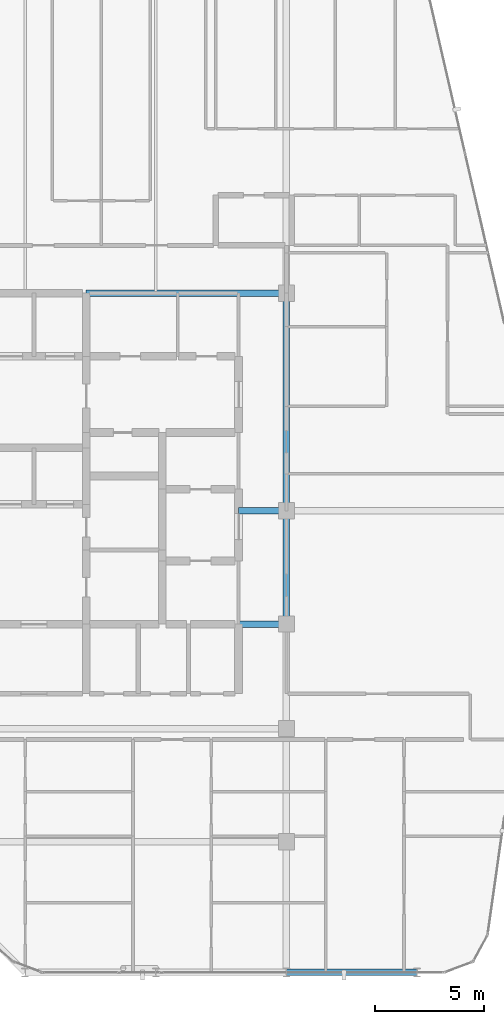
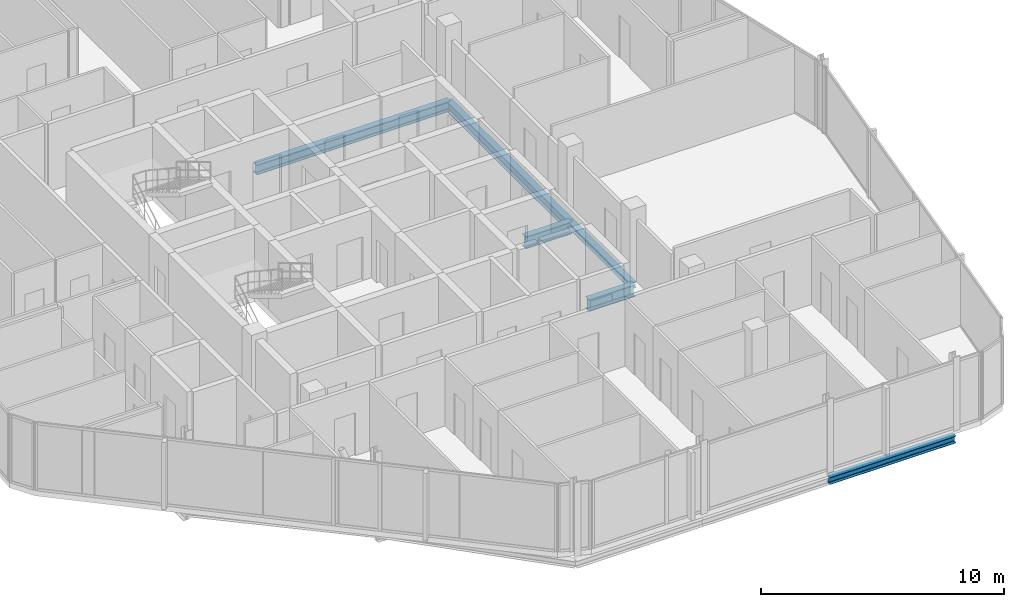
# One storey, part 11 of 28: 6 beams.
"""IFC4 building model written with IfcOpenShell, lengths in metres."""

from ifc_helpers import new_model, si_unit, direction, frame, origin, origin_2d, place, context, subcontext, project, spatial, i_section, extrude, material, material_profile, profile_set, type_object, element, save


model = new_model("IFC4")

# Units and contexts
model_context = context("Model", 3, precision=1e-05, world=origin(), true_north=direction((0.0, 1.0)))
body_context = subcontext(model_context, "Body", "Model", "MODEL_VIEW")
ifc_project = project(units=[si_unit("LENGTHUNIT", "METRE"), si_unit("AREAUNIT", "SQUARE_METRE"), si_unit("VOLUMEUNIT", "CUBIC_METRE"), si_unit("PLANEANGLEUNIT", "RADIAN"), si_unit("MASSUNIT", "GRAM", prefix="KILO")], contexts=[model_context])

# Site, building, storey
site_placement = place(None, origin())
site = spatial("IfcSite", under=ifc_project, at=site_placement, CompositionType="ELEMENT")
building_placement = place(site_placement, origin())
building = spatial("IfcBuilding", under=site, at=building_placement, Name="Keshet Zoharim Tower", CompositionType="ELEMENT")
storey_placement = place(building_placement, frame((0.0, 0.0, 258.39990234375)))
storey = spatial("IfcBuildingStorey", under=building, at=storey_placement, Name="L64", CompositionType="ELEMENT", Elevation=258.39990234375)

# Beams
ifc_material = material(Name="Steel S355", Category="steel")
ifc_material_profile_1 = material_profile(ifc_material, i_section(OverallWidth=0.300048828125, OverallDepth=0.60009765625, WebThickness=0.015380859375, FlangeThickness=0.030029296875, FilletRadius=0.027099609375, at=origin_2d()), Name="HEB600")
ifc_profile_set_1 = profile_set([ifc_material_profile_1], Name="Steel S355")
beam_type_1 = type_object("IfcBeamType", Name="BM-CLK-HB600", PredefinedType="BEAM", material=ifc_profile_set_1)
for number, where, z_axis, x_axis, name in (
    (1, (30.800048828125, 22.699951171875, -0.60986328125), (1.0, 0.0, 0.0), (0.0, 1.0, 0.0), "L64 Core Wall Link Girder 01"),
    (2, (30.800048828125, 27.89990234375, -0.60986328125), (1.0, 0.0, 0.0), (0.0, 1.0, 0.0), "L64 Core Wall Link Girder 02"),
):
    element("IfcBeam", number, at=place(storey_placement, frame(where, z_axis=z_axis, x_axis=x_axis)), inside=storey, type_object=beam_type_1, Name=name, PredefinedType="BEAM", context=body_context, shape_type="SweptSolid", body=[
        extrude(i_section(OverallWidth=0.300048828125, OverallDepth=0.60009765625, WebThickness=0.015380859375, FlangeThickness=0.030029296875, FilletRadius=0.027099609375, at=origin_2d()), origin(), (0.0, 0.0, 1.0), 2.199951171875),
    ])
ifc_material_profile_2 = material_profile(ifc_material, i_section(OverallWidth=0.300048828125, OverallDepth=0.5, WebThickness=0.014404296875, FlangeThickness=0.028076171875, FilletRadius=0.027099609375, at=origin_2d()), Name="HEB500")
ifc_profile_set_2 = profile_set([ifc_material_profile_2], Name="Steel S355")
beam_type_2 = type_object("IfcBeamType", Name="BM-MED-HB500", PredefinedType="BEAM", material=ifc_profile_set_2)
beam_1_placement = place(storey_placement, frame((23.800048828125, 37.89990234375, -0.559814453125), z_axis=(1.0, 0.0, 0.0), x_axis=(0.0, 1.0, 0.0)))
element("IfcBeam", 3, at=beam_1_placement, inside=storey, type_object=beam_type_2, Name="L64 Primary Girder X-009", PredefinedType="BEAM", context=body_context, shape_type="SweptSolid", body=[
    extrude(i_section(OverallWidth=0.300048828125, OverallDepth=0.5, WebThickness=0.014404296875, FlangeThickness=0.028076171875, FilletRadius=0.027099609375, at=origin_2d()), origin(), (0.0, 0.0, 1.0), 9.199951171875),
])
beam_2_placement = place(storey_placement, frame((33.0, 27.89990234375, -0.559814453125), z_axis=(0.0, 1.0, 0.0), x_axis=(-1.0, 0.0, 0.0)))
element("IfcBeam", 4, at=beam_2_placement, inside=storey, type_object=beam_type_2, Name="L64 Primary Girder Y-008", PredefinedType="BEAM", context=body_context, shape_type="SweptSolid", body=[
    extrude(i_section(OverallWidth=0.300048828125, OverallDepth=0.5, WebThickness=0.014404296875, FlangeThickness=0.028076171875, FilletRadius=0.027099609375, at=origin_2d()), origin(), (0.0, 0.0, 1.0), 10.0),
])
ifc_material_profile_3 = material_profile(ifc_material, i_section(OverallWidth=0.300048828125, OverallDepth=0.2900390625, WebThickness=0.008544921875, FlangeThickness=0.013916015625, FilletRadius=0.027099609375, at=origin_2d()), Name="HEA300")
ifc_profile_set_3 = profile_set([ifc_material_profile_3], Name="Steel S355")
beam_type_3 = type_object("IfcBeamType", Name="BM-PRI-HA300", PredefinedType="BEAM", material=ifc_profile_set_3)
beam_3_placement = place(storey_placement, frame((33.0, 22.699951171875, -0.454833984375), z_axis=(0.0, 1.0, 0.0), x_axis=(-1.0, 0.0, 0.0)))
element("IfcBeam", 5, at=beam_3_placement, inside=storey, type_object=beam_type_3, Name="L64 Primary Girder Y-007", PredefinedType="BEAM", context=body_context, shape_type="SweptSolid", body=[
    extrude(i_section(OverallWidth=0.300048828125, OverallDepth=0.2900390625, WebThickness=0.008544921875, FlangeThickness=0.013916015625, FilletRadius=0.027099609375, at=origin_2d()), origin(), (0.0, 0.0, 1.0), 5.199951171875),
])
ifc_material_profile_4 = material_profile(ifc_material, i_section(OverallWidth=0.300048828125, OverallDepth=0.35009765625, WebThickness=0.010009765625, FlangeThickness=0.017578125, FilletRadius=0.027099609375, at=origin_2d()), Name="HEA360")
ifc_profile_set_4 = profile_set([ifc_material_profile_4], Name="Steel S355")
beam_type_4 = type_object("IfcBeamType", Name="BM-PRI-HA360", PredefinedType="BEAM", material=ifc_profile_set_4)
beam_4_placement = place(storey_placement, frame((33.0, 6.699951171875, -0.48486328125), z_axis=(1.0, 0.0, 0.0), x_axis=(0.0, 1.0, 0.0)))
element("IfcBeam", 6, at=beam_4_placement, inside=storey, type_object=beam_type_4, Name="L64 Primary Girder X-003", PredefinedType="BEAM", context=body_context, shape_type="SweptSolid", body=[
    extrude(i_section(OverallWidth=0.300048828125, OverallDepth=0.35009765625, WebThickness=0.010009765625, FlangeThickness=0.017578125, FilletRadius=0.027099609375, at=origin_2d()), origin(), (0.0, 0.0, 1.0), 6.0),
])

save(model, "model.ifc")
